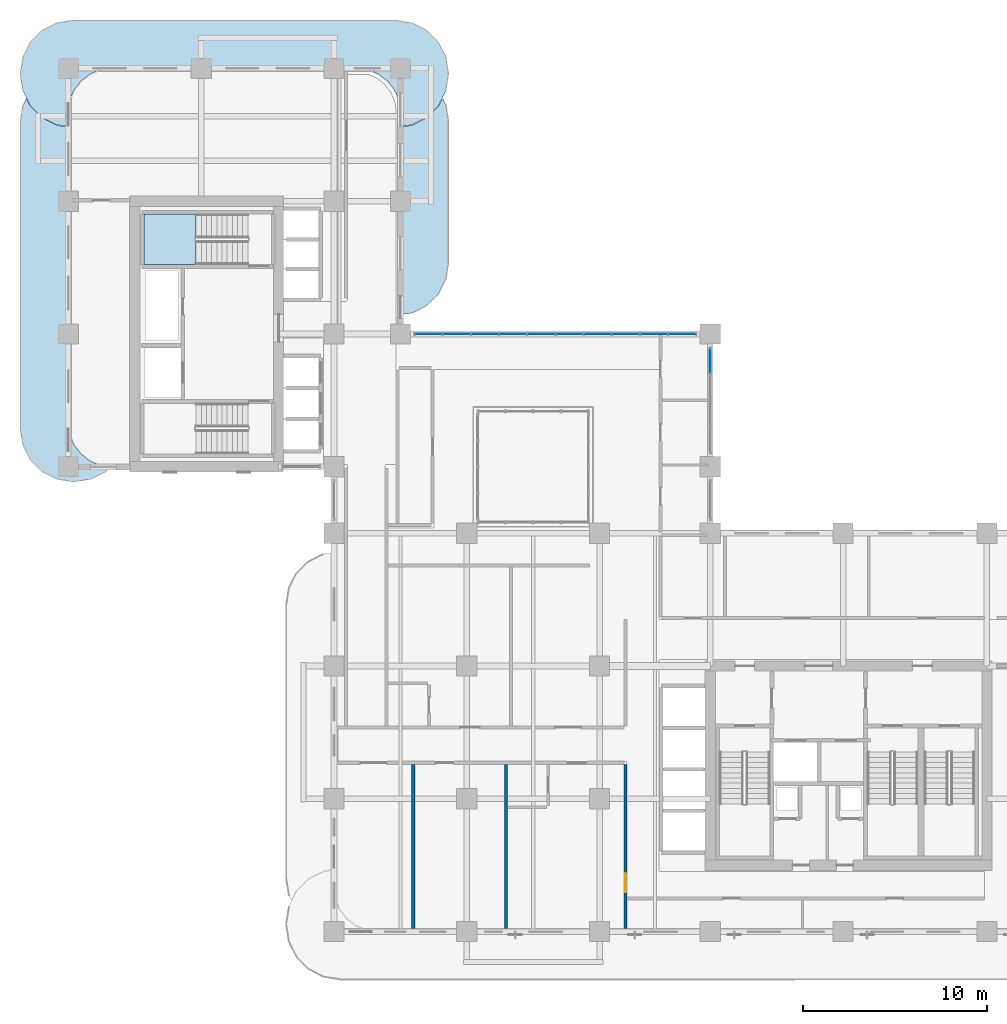
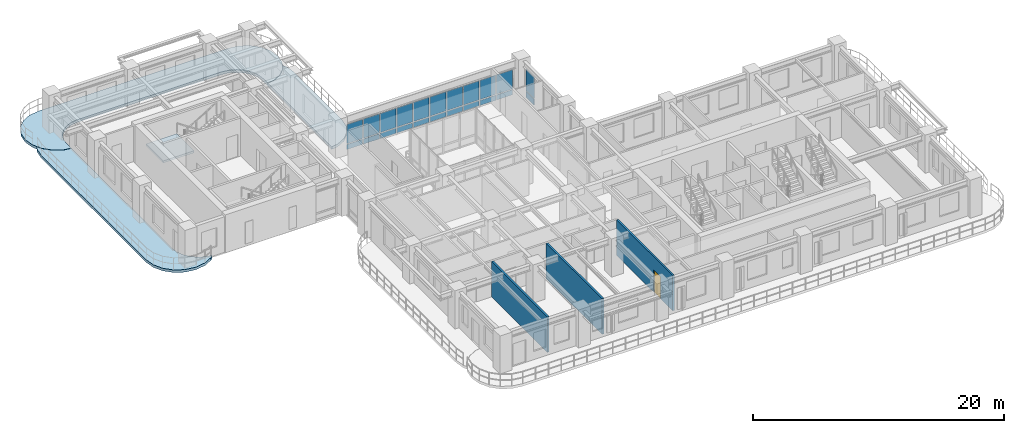
# One storey, part 11 of 22: 22 plates, 4 slabs, 3 walls, 1 door, 1 opening, 3 elements without a shape of their own.
"""IFC4 building model written with IfcOpenShell, lengths in metres."""

from ifc_helpers import new_model, si_unit, derived_unit, direction, frame, frame_2d, origin, origin_2d, place, context, subcontext, project, spatial, polyline, rectangle, outline, extrude, source, transform, mapped, material, layer, layer_set, type_object, type_shapes, element, fill, aggregate, save


model = new_model("IFC4")

# Units and contexts
model_context = context("Model", 3, precision=1e-05, world=origin(), true_north=direction((0.0, 1.0)))
body_context = subcontext(model_context, "Body", "Model", "MODEL_VIEW")
ifc_project = project(units=[si_unit("LENGTHUNIT", "METRE"), si_unit("AREAUNIT", "SQUARE_METRE"), si_unit("VOLUMEUNIT", "CUBIC_METRE"), si_unit("PLANEANGLEUNIT", "RADIAN"), si_unit("MASSUNIT", "GRAM", prefix="KILO"), si_unit("THERMODYNAMICTEMPERATUREUNIT", "KELVIN"), si_unit("POWERUNIT", "WATT"), derived_unit("THERMALTRANSMITTANCEUNIT", [(si_unit("POWERUNIT", "WATT"), 1), (si_unit("AREAUNIT", "SQUARE_METRE"), -1), (si_unit("THERMODYNAMICTEMPERATUREUNIT", "KELVIN"), -1)])], contexts=[model_context])

# Site, building, storey
site_placement = place(None, origin())
site = spatial("IfcSite", under=ifc_project, at=site_placement, CompositionType="ELEMENT")
building_placement = place(site_placement, origin())
building = spatial("IfcBuilding", under=site, at=building_placement, Name="Zahravan Archway Hotel and Residences", CompositionType="ELEMENT")
storey_placement = place(building_placement, frame((0.0, 0.0, 99.0)))
storey = spatial("IfcBuildingStorey", under=building, at=storey_placement, Name="L24", CompositionType="ELEMENT", Elevation=99.0)

# Slabs
ifc_material_1 = material(Name="Concrete C45/55", Category="concrete")
ifc_layer_1 = layer(ifc_material_1, 0.25, Name="Concrete C45/55", Category="concrete")
ifc_layer_set_1 = layer_set([ifc_layer_1], Name="Concrete C45/55")
slab_type_1 = type_object("IfcSlabType", Name="SLB-BALC-250", PredefinedType="FLOOR", material=ifc_layer_set_1)
slab_1_placement = place(storey_placement, frame((0.0, 0.0, -0.25)))
element("IfcSlab", 1, at=slab_1_placement, inside=storey, type_object=slab_type_1, Name="L24 Wing B North Rounded Balcony Band", PredefinedType="FLOOR", context=body_context, shape_type="SweptSolid", body=[
    extrude(outline(polyline([(-0.630615234375, 43.739501953125), (-1.42529296875, 44.144287109375), (-2.0556640625, 44.77490234375), (-2.46044921875, 45.5693359375), (-2.60009765625, 46.449951171875), (-2.60009765625, 46.550048828125), (-2.46044921875, 47.4306640625), (-2.0556640625, 48.22509765625), (-1.42529296875, 48.855712890625), (-0.630615234375, 49.260498046875), (0.25, 49.39990234375), (17.75, 49.39990234375), (18.630615234375, 49.260498046875), (19.42529296875, 48.855712890625), (20.0556640625, 48.22509765625), (20.46044921875, 47.4306640625), (20.60009765625, 46.550048828125), (20.60009765625, 46.449951171875), (20.46044921875, 45.5693359375), (20.0556640625, 44.77490234375), (19.42529296875, 44.144287109375), (18.630615234375, 43.739501953125), (18.02001953125, 43.642822265625), (18.02001953125, 44.39990234375), (18.019775390625, 44.402587890625), (17.93798828125, 45.023681640625), (17.937744140625, 45.025390625), (17.937255859375, 45.027099609375), (17.936767578125, 45.02880859375), (17.697021484375, 45.607666015625), (17.6962890625, 45.609130859375), (17.6953125, 45.610595703125), (17.6943359375, 45.6123046875), (17.31298828125, 46.109375), (17.311767578125, 46.110595703125), (17.310546875, 46.11181640625), (17.309326171875, 46.113037109375), (16.812255859375, 46.494384765625), (16.810791015625, 46.495361328125), (16.80908203125, 46.49609375), (16.8076171875, 46.4970703125), (16.22900390625, 46.73681640625), (16.227294921875, 46.7373046875), (16.2255859375, 46.73779296875), (16.223876953125, 46.738037109375), (15.6025390625, 46.81982421875), (15.60009765625, 46.820068359375), (2.39990234375, 46.820068359375), (2.3974609375, 46.81982421875), (1.776123046875, 46.738037109375), (1.7744140625, 46.73779296875), (1.772705078125, 46.7373046875), (1.77099609375, 46.73681640625), (1.1923828125, 46.4970703125), (1.19091796875, 46.49609375), (1.189208984375, 46.495361328125), (1.187744140625, 46.494384765625), (0.690673828125, 46.113037109375), (0.689453125, 46.11181640625), (0.688232421875, 46.110595703125), (0.68701171875, 46.109375), (0.3056640625, 45.6123046875), (0.3046875, 45.610595703125), (0.3037109375, 45.609130859375), (0.302978515625, 45.607666015625), (0.063232421875, 45.02880859375), (0.062744140625, 45.027099609375), (0.062255859375, 45.025390625), (0.06201171875, 45.023681640625), (-0.019775390625, 44.402587890625), (-0.02001953125, 44.39990234375), (-0.02001953125, 43.642822265625), (-0.630615234375, 43.739501953125)])), origin(), (0.0, 0.0, 1.0), 0.25),
])
slab_2_placement = place(storey_placement, frame((0.0, 0.0, -0.25)))
element("IfcSlab", 2, at=slab_2_placement, inside=storey, type_object=slab_type_1, Name="L24 Wing B West Rounded Balcony Band", PredefinedType="FLOOR", context=body_context, shape_type="SweptSolid", body=[
    extrude(outline(polyline([(2.025146484375, 24.9443359375), (1.230712890625, 24.53955078125), (0.35009765625, 24.39990234375), (0.25, 24.39990234375), (-0.630615234375, 24.53955078125), (-1.42529296875, 24.9443359375), (-2.0556640625, 25.57470703125), (-2.46044921875, 26.369384765625), (-2.60009765625, 27.25), (-2.60009765625, 43.949951171875), (-2.46044921875, 44.830810546875), (-2.28369140625, 45.177978515625), (-2.073486328125, 44.765625), (-2.072509765625, 44.763916015625), (-2.0712890625, 44.76220703125), (-2.06982421875, 44.7607421875), (-1.439208984375, 44.130126953125), (-1.437744140625, 44.12890625), (-1.43603515625, 44.12744140625), (-1.434326171875, 44.12646484375), (-0.639892578125, 43.7216796875), (-0.637939453125, 43.720703125), (-0.635986328125, 43.72021484375), (-0.6337890625, 43.7197265625), (-0.023193359375, 43.623046875), (-0.021240234375, 43.622802734375), (-0.02001953125, 43.622802734375), (-0.02001953125, 27.60009765625), (-0.019775390625, 27.597412109375), (0.06201171875, 26.976318359375), (0.062255859375, 26.974609375), (0.062744140625, 26.972900390625), (0.063232421875, 26.97119140625), (0.302978515625, 26.392333984375), (0.3037109375, 26.390869140625), (0.3046875, 26.389404296875), (0.3056640625, 26.3876953125), (0.68701171875, 25.890625), (0.688232421875, 25.889404296875), (0.689453125, 25.88818359375), (0.690673828125, 25.886962890625), (1.187744140625, 25.505615234375), (1.189208984375, 25.504638671875), (1.19091796875, 25.50390625), (1.1923828125, 25.5029296875), (1.77099609375, 25.26318359375), (1.772705078125, 25.2626953125), (1.7744140625, 25.26220703125), (1.776123046875, 25.261962890625), (2.27685546875, 25.196044921875), (2.025146484375, 24.9443359375)])), origin(), (0.0, 0.0, 1.0), 0.25),
])
slab_3_placement = place(storey_placement, frame((0.0, 0.0, -0.25)))
element("IfcSlab", 3, at=slab_3_placement, inside=storey, type_object=slab_type_1, Name="L24 Wing B East Rounded Balcony Band", PredefinedType="FLOOR", context=body_context, shape_type="SweptSolid", body=[
    extrude(outline(polyline([(20.46044921875, 44.830810546875), (20.60009765625, 43.949951171875), (20.60009765625, 36.25), (20.46044921875, 35.369384765625), (20.0556640625, 34.57470703125), (19.42529296875, 33.9443359375), (18.630615234375, 33.53955078125), (18.02001953125, 33.44287109375), (18.02001953125, 43.622802734375), (18.021240234375, 43.622802734375), (18.023193359375, 43.623046875), (18.6337890625, 43.7197265625), (18.635986328125, 43.72021484375), (18.637939453125, 43.720703125), (18.639892578125, 43.7216796875), (19.434326171875, 44.12646484375), (19.43603515625, 44.12744140625), (19.437744140625, 44.12890625), (19.439208984375, 44.130126953125), (20.06982421875, 44.7607421875), (20.0712890625, 44.76220703125), (20.072509765625, 44.763916015625), (20.073486328125, 44.765625), (20.28369140625, 45.177978515625), (20.46044921875, 44.830810546875)])), origin(), (0.0, 0.0, 1.0), 0.25),
])

# Stair, slab
ifc_material_2 = material(Name="Concrete C50/60", Category="concrete")
stair_type = type_object("IfcStairType", Name="STR-CORE-1300", PredefinedType="HALF_TURN_STAIR", material=ifc_material_2)
stair_placement = place(storey_placement, origin())
stair = element("IfcStair", 4, at=stair_placement, inside=storey, type_object=stair_type, Name="L24 Core B Exit Stair 2", PredefinedType="HALF_TURN_STAIR")
ifc_layer_2 = layer(ifc_material_2, 0.199951171875, Name="Concrete C50/60", Category="concrete")
ifc_layer_set_2 = layer_set([ifc_layer_2], Name="Concrete C50/60")
slab_type_2 = type_object("IfcSlabType", Name="SLB-LND-200", PredefinedType="LANDING", material=ifc_layer_set_2)
slab_4_placement = place(storey_placement, frame((0.0, 0.0, 1.64990234375)))
slab_4 = element("IfcSlab", 5, at=slab_4_placement, type_object=slab_type_2, Name="ST-B2 landing 1", PredefinedType="LANDING", context=body_context, shape_type="SweptSolid", body=[
    extrude(outline(polyline([(6.929931640625, 38.89990234375), (4.10009765625, 38.89990234375), (4.10009765625, 36.159912109375), (6.929931640625, 36.159912109375), (6.929931640625, 38.89990234375)])), origin(), (0.0, 0.0, 1.0), 0.2001953125),
])
aggregate(stair, [slab_4])

# Curtain wall, plates
ifc_material_3 = material(Name="Bronze-Anodized Unitised Aluminium & Low-E Glass", Category="aluminium")
ifc_layer_3 = layer(ifc_material_3, 0.179931640625, Name="Bronze-Anodized Unitised Aluminium & Low-E Glass", Category="aluminium")
ifc_layer_set_3 = layer_set([ifc_layer_3], Name="Bronze-Anodized Unitised Aluminium & Low-E Glass")
curtain_wall_type = type_object("IfcCurtainWallType", Name="CW-TWR-FEAT", PredefinedType="NOTDEFINED", material=ifc_layer_set_3)
curtain_wall_1_placement = place(storey_placement, origin())
curtain_wall_1 = element("IfcCurtainWall", 6, at=curtain_wall_1_placement, inside=storey, type_object=curtain_wall_type, Name="L24 Curtain Wall CW-L24-HNG-E-2", PredefinedType="NOTDEFINED")
ifc_material_4 = material(Name="Insulated Terracotta Spandrel Panel", Category="masonry")
ifc_layer_4 = layer(ifc_material_4, 0.0400390625, Name="Insulated Terracotta Spandrel Panel", Category="masonry")
ifc_layer_set_4 = layer_set([ifc_layer_4], Name="Insulated Terracotta Spandrel Panel")
plate_type_1 = type_object("IfcPlateType", Name="CWP-SPN-40", PredefinedType="SHEET", material=ifc_layer_set_4)
shared_shape_1 = source(origin(), body_context, "Body", "SweptSolid", [
    extrude(rectangle(XDim=1.340087890625, YDim=0.0400390625, at=origin_2d()), origin(), (0.0, 0.0, 1.0), 0.552490234375),
])
plate_1_placement = place(storey_placement, frame((34.800048828125, 30.929931640625, 0.10009765625), z_axis=(0.0, 0.0, 1.0), x_axis=(0.0, 1.0, 0.0)))
plate_1 = element("IfcPlate", 7, at=plate_1_placement, type_object=plate_type_1, Name="CW-L24-HNG-E-2 Spandrel Panel 3", PredefinedType="SHEET", context=body_context, shape_type="MappedRepresentation", body=[
    mapped(shared_shape_1, transform((0.0, 0.0, 0.0), scale=1.0)),
])
ifc_material_5 = material(Name="Double-Silver Low-E Insulated Vision Glass", Category="glass")
ifc_layer_5 = layer(ifc_material_5, 0.028076171875, Name="Double-Silver Low-E Insulated Vision Glass", Category="glass")
ifc_layer_set_5 = layer_set([ifc_layer_5], Name="Double-Silver Low-E Insulated Vision Glass")
plate_type_2 = type_object("IfcPlateType", Name="CWP-GLZ-28", PredefinedType="CURTAIN_PANEL", material=ifc_layer_set_5)
shared_shape_2 = source(origin(), body_context, "Body", "SweptSolid", [
    extrude(rectangle(XDim=1.340087890625, YDim=0.028076171875, at=origin_2d()), origin(), (0.0, 0.0, 1.0), 2.052490234375),
])
plate_2_placement = place(storey_placement, frame((34.800048828125, 30.929931640625, 0.732421875), z_axis=(0.0, 0.0, 1.0), x_axis=(0.0, 1.0, 0.0)))
plate_2 = element("IfcPlate", 8, at=plate_2_placement, type_object=plate_type_2, Name="CW-L24-HNG-E-2 Low-E Vision Panel 3", PredefinedType="CURTAIN_PANEL", context=body_context, shape_type="MappedRepresentation", body=[
    mapped(shared_shape_2, transform((0.0, 0.0, 0.0), scale=1.0)),
])
aggregate(curtain_wall_1, [plate_1, plate_2])

curtain_wall_2_placement = place(storey_placement, origin())
curtain_wall_2 = element("IfcCurtainWall", 9, at=curtain_wall_2_placement, inside=storey, type_object=curtain_wall_type, Name="L24 Curtain Wall CW-L24-HNG-N-1", PredefinedType="NOTDEFINED")
shared_shape_3 = source(origin(), body_context, "Body", "SweptSolid", [
    extrude(rectangle(XDim=1.447998046875, YDim=0.0400390625, at=origin_2d()), origin(), (0.0, 0.0, 1.0), 0.492431640625),
])
plate_3_placement = place(storey_placement, frame((19.52392578125, 32.39990234375, 0.10009765625), z_axis=(0.0, 0.0, 1.0), x_axis=(1.0, 0.0, 0.0)))
plate_3 = element("IfcPlate", 10, at=plate_3_placement, type_object=plate_type_1, Name="CW-L24-HNG-N-1 Spandrel Panel 0", PredefinedType="SHEET", context=body_context, shape_type="MappedRepresentation", body=[
    mapped(shared_shape_3, transform((0.0, 0.0, 0.0), scale=1.0)),
])
plate_4_placement = place(storey_placement, frame((21.052001953125, 32.39990234375, 0.10009765625), z_axis=(0.0, 0.0, 1.0), x_axis=(1.0, 0.0, 0.0)))
plate_4 = element("IfcPlate", 11, at=plate_4_placement, type_object=plate_type_1, Name="CW-L24-HNG-N-1 Spandrel Panel 1", PredefinedType="SHEET", context=body_context, shape_type="MappedRepresentation", body=[
    mapped(shared_shape_3, transform((0.0, 0.0, 0.0), scale=1.0)),
])
plate_5_placement = place(storey_placement, frame((22.580078125, 32.39990234375, 0.10009765625), z_axis=(0.0, 0.0, 1.0), x_axis=(1.0, 0.0, 0.0)))
plate_5 = element("IfcPlate", 12, at=plate_5_placement, type_object=plate_type_1, Name="CW-L24-HNG-N-1 Spandrel Panel 2", PredefinedType="SHEET", context=body_context, shape_type="MappedRepresentation", body=[
    mapped(shared_shape_3, transform((0.0, 0.0, 0.0), scale=1.0)),
])
plate_6_placement = place(storey_placement, frame((24.10791015625, 32.39990234375, 0.10009765625), z_axis=(0.0, 0.0, 1.0), x_axis=(1.0, 0.0, 0.0)))
plate_6 = element("IfcPlate", 13, at=plate_6_placement, type_object=plate_type_1, Name="CW-L24-HNG-N-1 Spandrel Panel 3", PredefinedType="SHEET", context=body_context, shape_type="MappedRepresentation", body=[
    mapped(shared_shape_3, transform((0.0, 0.0, 0.0), scale=1.0)),
])
plate_7_placement = place(storey_placement, frame((25.635986328125, 32.39990234375, 0.10009765625), z_axis=(0.0, 0.0, 1.0), x_axis=(1.0, 0.0, 0.0)))
plate_7 = element("IfcPlate", 14, at=plate_7_placement, type_object=plate_type_1, Name="CW-L24-HNG-N-1 Spandrel Panel 4", PredefinedType="SHEET", context=body_context, shape_type="MappedRepresentation", body=[
    mapped(shared_shape_3, transform((0.0, 0.0, 0.0), scale=1.0)),
])
plate_8_placement = place(storey_placement, frame((27.1640625, 32.39990234375, 0.10009765625), z_axis=(0.0, 0.0, 1.0), x_axis=(1.0, 0.0, 0.0)))
plate_8 = element("IfcPlate", 15, at=plate_8_placement, type_object=plate_type_1, Name="CW-L24-HNG-N-1 Spandrel Panel 5", PredefinedType="SHEET", context=body_context, shape_type="MappedRepresentation", body=[
    mapped(shared_shape_3, transform((0.0, 0.0, 0.0), scale=1.0)),
])
plate_9_placement = place(storey_placement, frame((28.69189453125, 32.39990234375, 0.10009765625), z_axis=(0.0, 0.0, 1.0), x_axis=(1.0, 0.0, 0.0)))
plate_9 = element("IfcPlate", 16, at=plate_9_placement, type_object=plate_type_1, Name="CW-L24-HNG-N-1 Spandrel Panel 6", PredefinedType="SHEET", context=body_context, shape_type="MappedRepresentation", body=[
    mapped(shared_shape_3, transform((0.0, 0.0, 0.0), scale=1.0)),
])
plate_10_placement = place(storey_placement, frame((30.219970703125, 32.39990234375, 0.10009765625), z_axis=(0.0, 0.0, 1.0), x_axis=(1.0, 0.0, 0.0)))
plate_10 = element("IfcPlate", 17, at=plate_10_placement, type_object=plate_type_1, Name="CW-L24-HNG-N-1 Spandrel Panel 7", PredefinedType="SHEET", context=body_context, shape_type="MappedRepresentation", body=[
    mapped(shared_shape_3, transform((0.0, 0.0, 0.0), scale=1.0)),
])
plate_11_placement = place(storey_placement, frame((31.748046875, 32.39990234375, 0.10009765625), z_axis=(0.0, 0.0, 1.0), x_axis=(1.0, 0.0, 0.0)))
plate_11 = element("IfcPlate", 18, at=plate_11_placement, type_object=plate_type_1, Name="CW-L24-HNG-N-1 Spandrel Panel 8", PredefinedType="SHEET", context=body_context, shape_type="MappedRepresentation", body=[
    mapped(shared_shape_3, transform((0.0, 0.0, 0.0), scale=1.0)),
])
plate_12_placement = place(storey_placement, frame((33.27587890625, 32.39990234375, 0.10009765625), z_axis=(0.0, 0.0, 1.0), x_axis=(1.0, 0.0, 0.0)))
plate_12 = element("IfcPlate", 19, at=plate_12_placement, type_object=plate_type_1, Name="CW-L24-HNG-N-1 Spandrel Panel 9", PredefinedType="SHEET", context=body_context, shape_type="MappedRepresentation", body=[
    mapped(shared_shape_3, transform((0.0, 0.0, 0.0), scale=1.0)),
])
shared_shape_4 = source(origin(), body_context, "Body", "SweptSolid", [
    extrude(rectangle(XDim=1.447998046875, YDim=0.028076171875, at=origin_2d()), origin(), (0.0, 0.0, 1.0), 1.862548828125),
])
plate_13_placement = place(storey_placement, frame((19.52392578125, 32.39990234375, 0.67236328125), z_axis=(0.0, 0.0, 1.0), x_axis=(1.0, 0.0, 0.0)))
plate_13 = element("IfcPlate", 20, at=plate_13_placement, type_object=plate_type_2, Name="CW-L24-HNG-N-1 Low-E Vision Panel 0", PredefinedType="CURTAIN_PANEL", context=body_context, shape_type="MappedRepresentation", body=[
    mapped(shared_shape_4, transform((0.0, 0.0, 0.0), scale=1.0)),
])
plate_14_placement = place(storey_placement, frame((21.052001953125, 32.39990234375, 0.67236328125), z_axis=(0.0, 0.0, 1.0), x_axis=(1.0, 0.0, 0.0)))
plate_14 = element("IfcPlate", 21, at=plate_14_placement, type_object=plate_type_2, Name="CW-L24-HNG-N-1 Low-E Vision Panel 1", PredefinedType="CURTAIN_PANEL", context=body_context, shape_type="MappedRepresentation", body=[
    mapped(shared_shape_4, transform((0.0, 0.0, 0.0), scale=1.0)),
])
plate_15_placement = place(storey_placement, frame((22.580078125, 32.39990234375, 0.67236328125), z_axis=(0.0, 0.0, 1.0), x_axis=(1.0, 0.0, 0.0)))
plate_15 = element("IfcPlate", 22, at=plate_15_placement, type_object=plate_type_2, Name="CW-L24-HNG-N-1 Low-E Vision Panel 2", PredefinedType="CURTAIN_PANEL", context=body_context, shape_type="MappedRepresentation", body=[
    mapped(shared_shape_4, transform((0.0, 0.0, 0.0), scale=1.0)),
])
plate_16_placement = place(storey_placement, frame((24.10791015625, 32.39990234375, 0.67236328125), z_axis=(0.0, 0.0, 1.0), x_axis=(1.0, 0.0, 0.0)))
plate_16 = element("IfcPlate", 23, at=plate_16_placement, type_object=plate_type_2, Name="CW-L24-HNG-N-1 Low-E Vision Panel 3", PredefinedType="CURTAIN_PANEL", context=body_context, shape_type="MappedRepresentation", body=[
    mapped(shared_shape_4, transform((0.0, 0.0, 0.0), scale=1.0)),
])
plate_17_placement = place(storey_placement, frame((25.635986328125, 32.39990234375, 0.67236328125), z_axis=(0.0, 0.0, 1.0), x_axis=(1.0, 0.0, 0.0)))
plate_17 = element("IfcPlate", 24, at=plate_17_placement, type_object=plate_type_2, Name="CW-L24-HNG-N-1 Low-E Vision Panel 4", PredefinedType="CURTAIN_PANEL", context=body_context, shape_type="MappedRepresentation", body=[
    mapped(shared_shape_4, transform((0.0, 0.0, 0.0), scale=1.0)),
])
plate_18_placement = place(storey_placement, frame((27.1640625, 32.39990234375, 0.67236328125), z_axis=(0.0, 0.0, 1.0), x_axis=(1.0, 0.0, 0.0)))
plate_18 = element("IfcPlate", 25, at=plate_18_placement, type_object=plate_type_2, Name="CW-L24-HNG-N-1 Low-E Vision Panel 5", PredefinedType="CURTAIN_PANEL", context=body_context, shape_type="MappedRepresentation", body=[
    mapped(shared_shape_4, transform((0.0, 0.0, 0.0), scale=1.0)),
])
plate_19_placement = place(storey_placement, frame((28.69189453125, 32.39990234375, 0.67236328125), z_axis=(0.0, 0.0, 1.0), x_axis=(1.0, 0.0, 0.0)))
plate_19 = element("IfcPlate", 26, at=plate_19_placement, type_object=plate_type_2, Name="CW-L24-HNG-N-1 Low-E Vision Panel 6", PredefinedType="CURTAIN_PANEL", context=body_context, shape_type="MappedRepresentation", body=[
    mapped(shared_shape_4, transform((0.0, 0.0, 0.0), scale=1.0)),
])
plate_20_placement = place(storey_placement, frame((30.219970703125, 32.39990234375, 0.67236328125), z_axis=(0.0, 0.0, 1.0), x_axis=(1.0, 0.0, 0.0)))
plate_20 = element("IfcPlate", 27, at=plate_20_placement, type_object=plate_type_2, Name="CW-L24-HNG-N-1 Low-E Vision Panel 7", PredefinedType="CURTAIN_PANEL", context=body_context, shape_type="MappedRepresentation", body=[
    mapped(shared_shape_4, transform((0.0, 0.0, 0.0), scale=1.0)),
])
plate_21_placement = place(storey_placement, frame((31.748046875, 32.39990234375, 0.67236328125), z_axis=(0.0, 0.0, 1.0), x_axis=(1.0, 0.0, 0.0)))
plate_21 = element("IfcPlate", 28, at=plate_21_placement, type_object=plate_type_2, Name="CW-L24-HNG-N-1 Low-E Vision Panel 8", PredefinedType="CURTAIN_PANEL", context=body_context, shape_type="MappedRepresentation", body=[
    mapped(shared_shape_4, transform((0.0, 0.0, 0.0), scale=1.0)),
])
plate_22_placement = place(storey_placement, frame((33.27587890625, 32.39990234375, 0.67236328125), z_axis=(0.0, 0.0, 1.0), x_axis=(1.0, 0.0, 0.0)))
plate_22 = element("IfcPlate", 29, at=plate_22_placement, type_object=plate_type_2, Name="CW-L24-HNG-N-1 Low-E Vision Panel 9", PredefinedType="CURTAIN_PANEL", context=body_context, shape_type="MappedRepresentation", body=[
    mapped(shared_shape_4, transform((0.0, 0.0, 0.0), scale=1.0)),
])
aggregate(curtain_wall_2, [plate_3, plate_13, plate_4, plate_14, plate_5, plate_15, plate_6, plate_16, plate_7, plate_17, plate_8, plate_18, plate_9, plate_19, plate_10, plate_20, plate_11, plate_21, plate_12, plate_22])

# Wall, opening, door
ifc_material_6 = material(Name="Fire-Rated Gypsum & Concrete Block", Category="concrete")
ifc_layer_6 = layer(ifc_material_6, 0.159912109375, Name="Fire-Rated Gypsum & Concrete Block", Category="concrete")
ifc_layer_set_6 = layer_set([ifc_layer_6], Name="Fire-Rated Gypsum & Concrete Block")
wall_type_1 = type_object("IfcWallType", Name="PW-CORR-160", PredefinedType="PARTITIONING", material=ifc_layer_set_6)
wall_placement = place(storey_placement, frame((30.199951171875, 0.16796875, 0.0), z_axis=(0.0, 0.0, 1.0), x_axis=(0.0, 1.0, 0.0)))
wall = element("IfcWall", 30, at=wall_placement, inside=storey, type_object=wall_type_1, Name="L24 Partition WA-SRW", PredefinedType="PARTITIONING", context=body_context, shape_type="SweptSolid", body=[
    extrude(rectangle(XDim=8.89208984375, YDim=0.159912109375, at=frame_2d((4.446044921875, 0.0))), origin(), (0.0, 0.0, 1.0), 3.449951171875),
])
opening_placement = place(wall_placement, frame((1.95703125, 0.0, 0.0)))
opening = element("IfcOpeningElement", 31, at=opening_placement, cuts=wall, Name="Opening FD-L2", PredefinedType="OPENING", context=body_context, shape_type="SweptSolid", body=[
    extrude(rectangle(XDim=1.050048828125, YDim=2.14990234375, at=frame_2d((0.52490234375, 1.074951171875))), frame((0.0, 0.08984375, 0.0), z_axis=(0.0, -1.0, 0.0), x_axis=(1.0, 0.0, 0.0)), (0.0, 0.0, 1.0), 0.179931640625),
])
ifc_material_7 = material(Name="Fire-Rated Painted Steel", Category="steel")
door_type = type_object("IfcDoorType", Name="FD-LOBBY-1100", OperationType="NOTDEFINED", PredefinedType="DOOR", material=ifc_material_7)
shared_shape_5 = source(origin(), body_context, "Body", "SweptSolid", [
    extrude(rectangle(XDim=1.050048828125, YDim=2.14990234375, at=frame_2d((0.52490234375, 1.074951171875))), frame((0.0, 0.02490234375, 0.0), z_axis=(0.0, -1.0, 0.0), x_axis=(1.0, 0.0, 0.0)), (0.0, 0.0, 1.0), 0.050048828125),
])
type_shapes(door_type, [shared_shape_5])
door_placement = place(opening_placement, origin())
door = element("IfcDoor", 32, at=door_placement, inside=storey, type_object=door_type, Name="L24 South Riser Corridor Door", OperationType="SINGLE_SWING_LEFT", OverallHeight=2.14990234375, OverallWidth=1.050048828125, PredefinedType="DOOR", context=body_context, shape_type="MappedRepresentation", body=[
    mapped(shared_shape_5, transform((0.0, 0.0, 0.0), scale=1.0)),
])
fill(opening, door)

# Walls
ifc_material_8 = material(Name="Acoustic Stud Partition")
ifc_layer_7 = layer(ifc_material_8, 0.169921875, Name="Acoustic Stud Partition")
ifc_layer_set_7 = layer_set([ifc_layer_7], Name="Acoustic Stud Partition")
wall_type_2 = type_object("IfcWallType", Name="PW-UNIT-170", PredefinedType="PARTITIONING", material=ifc_layer_set_7)
for number, where, z_axis, x_axis, name in (
    (33, (18.699951171875, 0.16796875, 0.0), (0.0, 0.0, 1.0), (0.0, 1.0, 0.0), "L24 Partition WAS-2A"),
    (34, (23.719970703125, 0.16796875, 0.0), (0.0, 0.0, 1.0), (0.0, 1.0, 0.0), "L24 Partition WAS-2B"),
):
    element("IfcWall", number, at=place(storey_placement, frame(where, z_axis=z_axis, x_axis=x_axis)), inside=storey, type_object=wall_type_2, Name=name, PredefinedType="PARTITIONING", context=body_context, shape_type="SweptSolid", body=[
        extrude(rectangle(XDim=8.89208984375, YDim=0.169921875, at=frame_2d((4.446044921875, 0.0))), origin(), (0.0, 0.0, 1.0), 3.449951171875),
    ])

save(model, "model.ifc")
